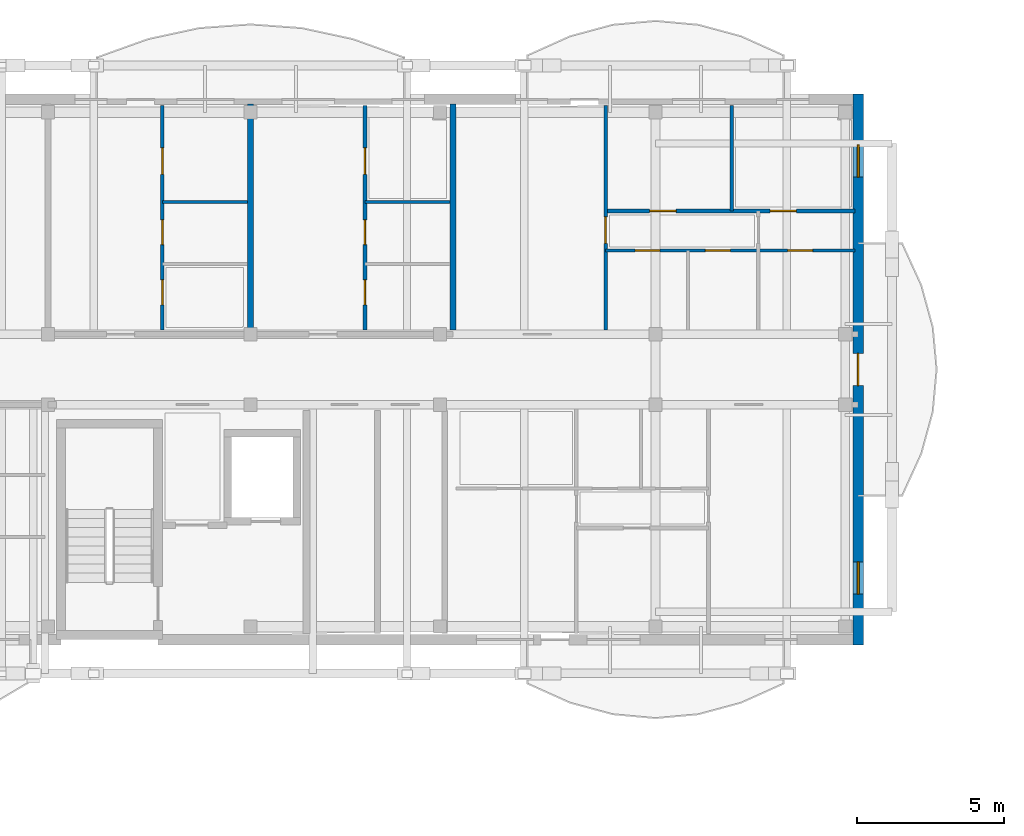
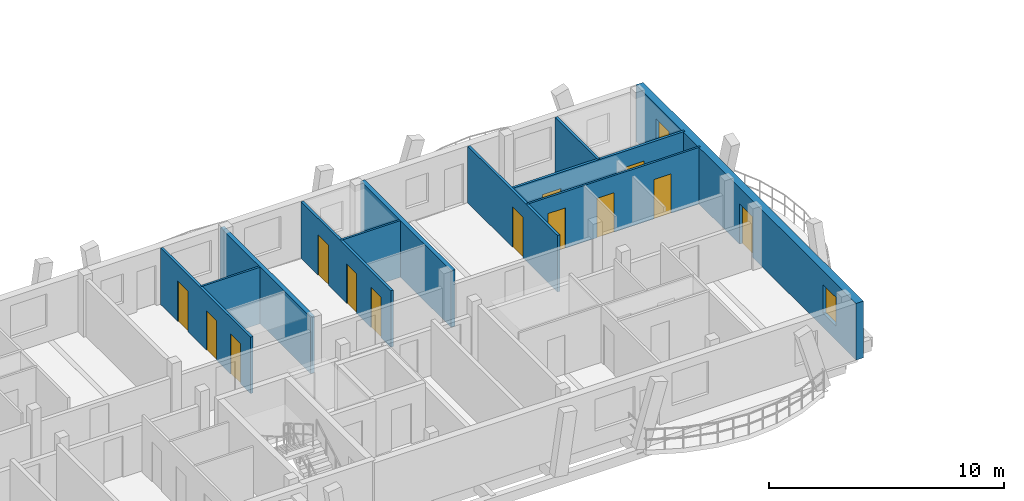
# One storey, part 28 of 52: 13 doors, 11 walls, 2 windows, 15 openings.
"""IFC4 building model written with IfcOpenShell, lengths in metres."""

import ifcopenshell
import ifcopenshell.guid

model = None  # the IFC model being written
_history = None  # IfcOwnerHistory: only IFC2X3 demands one
_inside = {}  # id of a spatial element -> (the spatial element, [elements in it])
_under = {}  # id of a project, library or spatial element -> (it, [spatial elements below it])
_declared = {}  # id of a project -> (the project, [libraries it declares])
_typed = {}  # id of a type object -> (the type object, [elements of that type])
_made_of = {}  # id of a material, layer set ... -> (it, [elements and type objects made of it])


def new_model(schema):
    """Start an empty IFC model of exactly this schema.

    Asked for "IFC4X3", IfcOpenShell would pick the latest addendum, in which some entities
    have other attributes; the version numbers below select the first issue.
    IFC2X3 requires an IfcOwnerHistory on every rooted entity: one is made here for all.
    """
    global model, _history
    if schema == "IFC4X3":
        model = ifcopenshell.file(schema_version=(4, 3, 0, 0))
    else:
        model = ifcopenshell.file(schema=schema)
    _inside.clear()
    _under.clear()
    _declared.clear()
    _typed.clear()
    _made_of.clear()
    _history = None
    if model.schema == "IFC2X3":
        org = make("IfcOrganization", Name="unknown")
        user = make(
            "IfcPersonAndOrganization",
            ThePerson=make("IfcPerson", FamilyName="unknown"),
            TheOrganization=org,
        )
        app = make(
            "IfcApplication",
            ApplicationDeveloper=org,
            Version="unknown",
            ApplicationFullName="unknown",
            ApplicationIdentifier="unknown",
        )
        _history = make(
            "IfcOwnerHistory",
            OwningUser=user,
            OwningApplication=app,
            ChangeAction="ADDED",
            CreationDate=0,
        )
    return model


def make(cls, **values):
    """One entity of the class cls with the attributes given. An attribute that is None is left unset."""
    return model.create_entity(
        cls, **{name: value for name, value in values.items() if value is not None}
    )


def rooted(cls, **values):
    """An entity with a GlobalId (a new one), such as an element, a storey or a relation."""
    return make(cls, GlobalId=ifcopenshell.guid.new(), OwnerHistory=_history, **values)


def si_unit(unit_type, name, prefix=None):
    """IfcSIUnit, for example si_unit("LENGTHUNIT", "METRE", prefix="MILLI")."""
    return make("IfcSIUnit", UnitType=unit_type, Prefix=prefix, Name=name)


def assignment(units):
    """IfcUnitAssignment: the units of a project."""
    return None if units is None else make("IfcUnitAssignment", Units=units)


def point(xyz):
    """IfcCartesianPoint."""
    return None if xyz is None else make("IfcCartesianPoint", Coordinates=xyz)


def direction(xyz):
    """IfcDirection."""
    return None if xyz is None else make("IfcDirection", DirectionRatios=xyz)


def frame(location, z_axis=None, x_axis=None):
    """IfcAxis2Placement3D, a coordinate frame: its origin and axes. An axis left out is left unset."""
    return make(
        "IfcAxis2Placement3D",
        Location=point(location),
        Axis=direction(z_axis),
        RefDirection=direction(x_axis),
    )


def frame_2d(location, x_axis=None):
    """IfcAxis2Placement2D, a coordinate frame in the plane: its origin and x axis."""
    return make(
        "IfcAxis2Placement2D", Location=point(location), RefDirection=direction(x_axis)
    )


def origin():
    """The frame at (0, 0, 0) with its axes left unset."""
    return frame((0.0, 0.0, 0.0))


def origin_with_axes():
    """The frame at (0, 0, 0) with the z axis (0, 0, 1) and the x axis (1, 0, 0) written out."""
    return frame((0.0, 0.0, 0.0), z_axis=(0.0, 0.0, 1.0), x_axis=(1.0, 0.0, 0.0))


def place(relative_to, where):
    """IfcLocalPlacement: puts the frame where relative to a parent placement (None: the world)."""
    return make(
        "IfcLocalPlacement", PlacementRelTo=relative_to, RelativePlacement=where
    )


def context(
    kind, dimensions, precision=None, world=None, true_north=None, identifier=None
):
    """IfcGeometricRepresentationContext, for example the 3D "Model" context."""
    return make(
        "IfcGeometricRepresentationContext",
        ContextIdentifier=identifier,
        ContextType=kind,
        CoordinateSpaceDimension=dimensions,
        Precision=precision,
        WorldCoordinateSystem=world,
        TrueNorth=true_north,
    )


def subcontext(parent, identifier, kind, view, scale=None):
    """IfcGeometricRepresentationSubContext, for example "Body" below "Model"."""
    return make(
        "IfcGeometricRepresentationSubContext",
        ContextIdentifier=identifier,
        ContextType=kind,
        ParentContext=parent,
        TargetScale=scale,
        TargetView=view,
    )


def project(units=None, contexts=None):
    """IfcProject with its units and contexts."""
    return rooted(
        "IfcProject",
        Name="project",
        RepresentationContexts=contexts,
        UnitsInContext=assignment(units),
    )


def spatial(cls, under=None, at=None, **own):
    """A site, building, storey or space (cls), placed at a placement, below another one or the project."""
    s = rooted(cls, ObjectPlacement=at, **own)
    if under is not None:
        _under.setdefault(under.id(), (under, []))[1].append(s)
    return s


def profile(cls, at=None, kind="AREA", **sizes):
    """A parametric profile (cls). Its sizes go by their IFC names, for example OverallWidth=200.0."""
    return make(cls, ProfileType=kind, Position=at, **sizes)


def rectangle(**sizes):
    """IfcRectangleProfileDef."""
    return profile("IfcRectangleProfileDef", **sizes)


def extrude(swept, where, along, depth):
    """IfcExtrudedAreaSolid: the profile swept, set in the frame where, extruded along a direction by depth."""
    return make(
        "IfcExtrudedAreaSolid",
        SweptArea=swept,
        Position=where,
        ExtrudedDirection=direction(along),
        Depth=depth,
    )


def shape(context_of_items, identifier, shape_type, items):
    """IfcShapeRepresentation: the items that make up one representation, for example the "Body"."""
    return make(
        "IfcShapeRepresentation",
        ContextOfItems=context_of_items,
        RepresentationIdentifier=identifier,
        RepresentationType=shape_type,
        Items=items,
    )


def material(Name=None, Category=None):
    """IfcMaterial."""
    return make("IfcMaterial", Name=Name, Category=Category)


def layer(
    of_material, thickness, ventilated=None, Name=None, Category=None, Priority=None
):
    """IfcMaterialLayer: one layer of a wall or slab, of a material (None: an air gap)."""
    return make(
        "IfcMaterialLayer",
        Material=of_material,
        LayerThickness=thickness,
        IsVentilated=ventilated,
        Name=Name,
        Category=Category,
        Priority=Priority,
    )


def layer_set(layers, Name=None):
    """IfcMaterialLayerSet."""
    return make("IfcMaterialLayerSet", MaterialLayers=layers, LayerSetName=Name)


def made_of(thing, what):
    """Note that an element or type object is made of a material, layer set ...; save() writes the relation."""
    if what is not None:
        _made_of.setdefault(what.id(), (what, []))[1].append(thing)
    return thing


def type_object(cls, material=None, **own):
    """A type object (cls), such as IfcWallType, which elements share."""
    return made_of(rooted(cls, **own), material)


def element(
    cls,
    number,
    at=None,
    inside=None,
    cuts=None,
    type_object=None,
    material=None,
    context=None,
    identifier="Body",
    shape_type=None,
    held_by="IfcProductDefinitionShape",
    body=None,
    shapes=None,
    **own,
):
    """One element of the class cls, such as IfcWall. Its Tag is "e" and its number.

    at: its placement. inside: the storey or other place that contains it. cuts: it is an
    opening in that element (IfcRelVoidsElement). A single representation is given by context,
    identifier, shape_type and body (its items); several are given by shapes. held_by: the class
    of the entity that holds the representations. save() writes the other relations.
    """
    e = rooted(cls, Tag="e%d" % number, ObjectPlacement=at, **own)
    if body is not None:
        shapes = [shape(context, identifier, shape_type, body)]
    if shapes is not None:
        e.Representation = make(held_by, Representations=shapes)
    if inside is not None:
        _inside.setdefault(inside.id(), (inside, []))[1].append(e)
    if cuts is not None:
        rooted(
            "IfcRelVoidsElement", RelatingBuildingElement=cuts, RelatedOpeningElement=e
        )
    if type_object is not None:
        _typed.setdefault(type_object.id(), (type_object, []))[1].append(e)
    return made_of(e, material)


def fill(opening, filler):
    """IfcRelFillsElement: the door or window that sits in an opening."""
    return rooted(
        "IfcRelFillsElement",
        RelatingOpeningElement=opening,
        RelatedBuildingElement=filler,
    )


def aggregate(whole, parts):
    """IfcRelAggregates: a whole, such as a stair, and the parts it consists of."""
    return rooted("IfcRelAggregates", RelatingObject=whole, RelatedObjects=parts)


def save(model, path):
    """Write the relations noted so far, then the file.

    IfcRelAggregates (storeys below a building ...), IfcRelContainedInSpatialStructure (elements
    in a storey), IfcRelDefinesByType, IfcRelAssociatesMaterial and IfcRelDeclares: one each for
    every whole, place, type object, material and project.
    """
    for whole, parts in _under.values():
        aggregate(whole, parts)
    for where, things in _inside.values():
        rooted(
            "IfcRelContainedInSpatialStructure",
            RelatedElements=things,
            RelatingStructure=where,
        )
    for kind, things in _typed.values():
        rooted("IfcRelDefinesByType", RelatedObjects=things, RelatingType=kind)
    for what, things in _made_of.values():
        rooted("IfcRelAssociatesMaterial", RelatedObjects=things, RelatingMaterial=what)
    for by, libraries in _declared.values():
        rooted("IfcRelDeclares", RelatingContext=by, RelatedDefinitions=libraries)
    model.write(path)


model = new_model("IFC4")

# Units and contexts
model_context = context("Model", 3, precision=1e-05, world=origin(), true_north=direction((0.0, 1.0)))
body_context = subcontext(model_context, "Body", "Model", "MODEL_VIEW")
ifc_project = project(units=[si_unit("LENGTHUNIT", "METRE"), si_unit("AREAUNIT", "SQUARE_METRE"), si_unit("VOLUMEUNIT", "CUBIC_METRE"), si_unit("PLANEANGLEUNIT", "RADIAN"), si_unit("MASSUNIT", "GRAM", prefix="KILO")], contexts=[model_context])

# Site, building, storey
site_placement = place(None, origin())
site = spatial("IfcSite", under=ifc_project, at=site_placement, CompositionType="ELEMENT")
building_placement = place(site_placement, origin())
building = spatial("IfcBuilding", under=site, at=building_placement, Name="Zavelmont Quarter", CompositionType="ELEMENT")
storey_placement = place(building_placement, frame((0.0, 0.0, 14.39990234375)))
storey = spatial("IfcBuildingStorey", under=building, at=storey_placement, Name="L04", CompositionType="ELEMENT", Elevation=14.39990234375)

# Wall, openings, door, windows
ifc_material_1 = material(Name="Natural Belgian limestone", Category="masonry")
ifc_layer_1 = layer(ifc_material_1, 0.360107421875)
ifc_layer_set_1 = layer_set([ifc_layer_1], Name="Natural Belgian limestone")
wall_type_1 = type_object("IfcWallType", Name="EW02", PredefinedType="STANDARD", material=ifc_layer_set_1)
wall_1_placement = place(storey_placement, frame((55.199951171875, 97.419921875, 0.0), z_axis=(0.0, 0.0, 1.0), x_axis=(0.0, 1.0, 0.0)))
wall_1 = element("IfcWall", 1, at=wall_1_placement, inside=storey, type_object=wall_type_1, Name="L04 exterior limestone wall EW02", PredefinedType="STANDARD", context=body_context, shape_type="SweptSolid", body=[
    extrude(rectangle(XDim=18.760009765625, YDim=0.360107421875, at=frame_2d((9.3798828125, 0.0))), origin(), (0.0, 0.0, 1.0), 2.940185546875),
])
opening_1_placement = place(wall_1_placement, frame((8.830078125, 0.0, 0.0)))
opening_1 = element("IfcOpeningElement", 2, at=opening_1_placement, cuts=wall_1, Name="Opening DR04B", PredefinedType="OPENING", context=body_context, shape_type="SweptSolid", body=[
    extrude(rectangle(XDim=1.10009765625, YDim=2.10009765625, at=frame_2d((0.550048828125, 1.050048828125))), frame((0.0, 0.19189453125, 0.0), z_axis=(0.0, -1.0, 0.0), x_axis=(1.0, 0.0, 0.0)), (0.0, 0.0, 1.0), 0.384033203125),
])
opening_2_placement = place(wall_1_placement, frame((1.72998046875, 0.0, 0.719970703125)))
opening_2 = element("IfcOpeningElement", 3, at=opening_2_placement, cuts=wall_1, Name="Opening WN09", PredefinedType="OPENING", context=body_context, shape_type="SweptSolid", body=[
    extrude(rectangle(XDim=1.10009765625, YDim=1.5, at=frame_2d((0.550048828125, 0.75))), frame((0.0, 0.19189453125, 0.0), z_axis=(0.0, -1.0, 0.0), x_axis=(1.0, 0.0, 0.0)), (0.0, 0.0, 1.0), 0.384033203125),
])
opening_3_placement = place(wall_1_placement, frame((15.929931640625, 0.0, 0.719970703125)))
opening_3 = element("IfcOpeningElement", 4, at=opening_3_placement, cuts=wall_1, Name="Opening WN09", PredefinedType="OPENING", context=body_context, shape_type="SweptSolid", body=[
    extrude(rectangle(XDim=1.10009765625, YDim=1.5, at=frame_2d((0.550048828125, 0.75))), frame((0.0, 0.19189453125, 0.0), z_axis=(0.0, -1.0, 0.0), x_axis=(1.0, 0.0, 0.0)), (0.0, 0.0, 1.0), 0.384033203125),
])
ifc_material_2 = material(Name="Thermally broken aluminium and double safety glass", Category="aluminium")
door_type_1 = type_object("IfcDoorType", Name="DR04B", OperationType="NOTDEFINED", PredefinedType="DOOR", material=ifc_material_2)
door_1_placement = place(opening_1_placement, origin_with_axes())
door_1 = element("IfcDoor", 5, at=door_1_placement, inside=storey, type_object=door_type_1, Name="Block B L04 terrace or vase balcony door", OperationType="SINGLE_SWING_RIGHT", OverallHeight=2.10009765625, OverallWidth=1.10009765625, PredefinedType="DOOR", context=body_context, shape_type="SweptSolid", body=[
    extrude(rectangle(XDim=1.10009765625, YDim=2.10009765625, at=frame_2d((0.550048828125, 1.050048828125))), frame((0.0, 0.02490234375, 0.0), z_axis=(0.0, -1.0, 0.0), x_axis=(1.0, 0.0, 0.0)), (0.0, 0.0, 1.0), 0.050048828125),
])
fill(opening_1, door_1)
ifc_material_3 = material(Name="Double low-E insulated glazing in thermally broken aluminium frame", Category="aluminium")
window_type = type_object("IfcWindowType", Name="WN09", PartitioningType="SINGLE_PANEL", PredefinedType="WINDOW", material=ifc_material_3)
window_1_placement = place(opening_2_placement, origin_with_axes())
window_1 = element("IfcWindow", 6, at=window_1_placement, inside=storey, type_object=window_type, Name="L04 window WN09", OverallHeight=1.5, OverallWidth=1.10009765625, PartitioningType="SINGLE_PANEL", PredefinedType="WINDOW", context=body_context, shape_type="SweptSolid", body=[
    extrude(rectangle(XDim=1.10009765625, YDim=1.5, at=frame_2d((0.550048828125, 0.75))), frame((0.0, 0.030029296875, 0.0), z_axis=(0.0, -1.0, 0.0), x_axis=(1.0, 0.0, 0.0)), (0.0, 0.0, 1.0), 0.06005859375),
])
fill(opening_2, window_1)
window_2_placement = place(opening_3_placement, origin_with_axes())
window_2 = element("IfcWindow", 7, at=window_2_placement, inside=storey, type_object=window_type, Name="L04 window WN09", OverallHeight=1.5, OverallWidth=1.10009765625, PartitioningType="SINGLE_PANEL", PredefinedType="WINDOW", context=body_context, shape_type="SweptSolid", body=[
    extrude(rectangle(XDim=1.10009765625, YDim=1.5, at=frame_2d((0.550048828125, 0.75))), frame((0.0, 0.030029296875, 0.0), z_axis=(0.0, -1.0, 0.0), x_axis=(1.0, 0.0, 0.0)), (0.0, 0.0, 1.0), 0.06005859375),
])
fill(opening_3, window_2)

# Walls
ifc_material_4 = material(Name="Calcium-silicate blockwork and acoustic plaster", Category="masonry")
ifc_layer_2 = layer(ifc_material_4, 0.199951171875)
ifc_layer_set_2 = layer_set([ifc_layer_2], Name="Calcium-silicate blockwork and acoustic plaster")
wall_type_2 = type_object("IfcWallType", Name="IW01", PredefinedType="PARTITIONING", material=ifc_layer_set_2)
for number, where, z_axis, x_axis, name in (
    (8, (34.5, 108.14990234375, 0.0), (0.0, 0.0, 1.0), (0.0, 1.0, 0.0), "L04 Inter-dwelling compartment wall IW01"),
    (9, (41.39990234375, 108.14990234375, 0.0), (0.0, 0.0, 1.0), (0.0, 1.0, 0.0), "L04 Inter-dwelling compartment wall IW01"),
):
    element("IfcWall", number, at=place(storey_placement, frame(where, z_axis=z_axis, x_axis=x_axis)), inside=storey, type_object=wall_type_2, Name=name, PredefinedType="PARTITIONING", context=body_context, shape_type="SweptSolid", body=[
        extrude(rectangle(XDim=7.7001953125, YDim=0.199951171875, at=frame_2d((3.85009765625, 0.0))), origin(), (0.0, 0.0, 1.0), 2.940185546875),
    ])

# Wall, openings, doors
ifc_material_5 = material(Name="Double gypsum board on acoustic steel stud", Category="steel")
ifc_layer_3 = layer(ifc_material_5, 0.125)
ifc_layer_set_3 = layer_set([ifc_layer_3], Name="Double gypsum board on acoustic steel stud")
wall_type_3 = type_object("IfcWallType", Name="IW03", PredefinedType="PARTITIONING", material=ifc_layer_set_3)
wall_2_placement = place(storey_placement, frame((31.5, 108.14990234375, 0.0), z_axis=(0.0, 0.0, 1.0), x_axis=(0.0, 1.0, 0.0)))
wall_2 = element("IfcWall", 10, at=wall_2_placement, inside=storey, type_object=wall_type_3, Name="L04 Partition IW03", PredefinedType="PARTITIONING", context=body_context, shape_type="SweptSolid", body=[
    extrude(rectangle(XDim=7.650146484375, YDim=0.125, at=frame_2d((3.8251953125, 0.0))), origin(), (0.0, 0.0, 1.0), 2.940185546875),
])
opening_4_placement = place(wall_2_placement, frame((0.85009765625, 0.0, 0.0)))
opening_4 = element("IfcOpeningElement", 11, at=opening_4_placement, cuts=wall_2, Name="Opening DR16", PredefinedType="OPENING", context=body_context, shape_type="SweptSolid", body=[
    extrude(rectangle(XDim=0.85009765625, YDim=2.10009765625, at=frame_2d((0.425048828125, 1.050048828125))), frame((0.0, 0.074462890625, 0.0), z_axis=(0.0, -1.0, 0.0), x_axis=(1.0, 0.0, 0.0)), (0.0, 0.0, 1.0), 0.14892578125),
])
opening_5_placement = place(wall_2_placement, frame((2.89990234375, 0.0, 0.0)))
opening_5 = element("IfcOpeningElement", 12, at=opening_5_placement, cuts=wall_2, Name="Opening DR06", PredefinedType="OPENING", context=body_context, shape_type="SweptSolid", body=[
    extrude(rectangle(XDim=0.85009765625, YDim=2.050048828125, at=frame_2d((0.425048828125, 1.02490234375))), frame((0.0, 0.074462890625, 0.0), z_axis=(0.0, -1.0, 0.0), x_axis=(1.0, 0.0, 0.0)), (0.0, 0.0, 1.0), 0.14892578125),
])
opening_6_placement = place(wall_2_placement, frame((5.300048828125, 0.0, 0.0)))
opening_6 = element("IfcOpeningElement", 13, at=opening_6_placement, cuts=wall_2, Name="Opening DR05", PredefinedType="OPENING", context=body_context, shape_type="SweptSolid", body=[
    extrude(rectangle(XDim=0.89990234375, YDim=2.10009765625, at=frame_2d((0.449951171875, 1.050048828125))), frame((0.0, 0.074462890625, 0.0), z_axis=(0.0, -1.0, 0.0), x_axis=(1.0, 0.0, 0.0)), (0.0, 0.0, 1.0), 0.14892578125),
])
ifc_material_6 = material(Name="Engineered oak flush interior door")
door_type_2 = type_object("IfcDoorType", Name="DR05", OperationType="NOTDEFINED", PredefinedType="DOOR", material=ifc_material_6)
door_2_placement = place(opening_6_placement, origin_with_axes())
door_2 = element("IfcDoor", 14, at=door_2_placement, inside=storey, type_object=door_type_2, Name="L04 door DR05", OperationType="SINGLE_SWING_RIGHT", OverallHeight=2.10009765625, OverallWidth=0.89990234375, PredefinedType="DOOR", context=body_context, shape_type="SweptSolid", body=[
    extrude(rectangle(XDim=0.89990234375, YDim=2.10009765625, at=frame_2d((0.449951171875, 1.050048828125))), frame((0.0, 0.02490234375, 0.0), z_axis=(0.0, -1.0, 0.0), x_axis=(1.0, 0.0, 0.0)), (0.0, 0.0, 1.0), 0.050048828125),
])
fill(opening_6, door_2)
ifc_material_7 = material(Name="Moisture-resistant painted wet-room door")
door_type_3 = type_object("IfcDoorType", Name="DR06", OperationType="NOTDEFINED", PredefinedType="DOOR", material=ifc_material_7)
door_3_placement = place(opening_5_placement, frame((0.85009765625, 0.0, 0.0), z_axis=(0.0, 0.0, 1.0), x_axis=(-1.0, 0.0, 0.0)))
door_3 = element("IfcDoor", 15, at=door_3_placement, inside=storey, type_object=door_type_3, Name="L04 door DR06", OperationType="SINGLE_SWING_LEFT", OverallHeight=2.050048828125, OverallWidth=0.85009765625, PredefinedType="DOOR", context=body_context, shape_type="SweptSolid", body=[
    extrude(rectangle(XDim=0.85009765625, YDim=2.050048828125, at=frame_2d((0.425048828125, 1.02490234375))), frame((0.0, 0.02490234375, 0.0), z_axis=(0.0, -1.0, 0.0), x_axis=(1.0, 0.0, 0.0)), (0.0, 0.0, 1.0), 0.050048828125),
])
fill(opening_5, door_3)
door_type_4 = type_object("IfcDoorType", Name="DR16", OperationType="NOTDEFINED", PredefinedType="DOOR", material=ifc_material_6)
door_4_placement = place(opening_4_placement, origin_with_axes())
door_4 = element("IfcDoor", 16, at=door_4_placement, inside=storey, type_object=door_type_4, Name="L04 door DR16", OperationType="SINGLE_SWING_RIGHT", OverallHeight=2.10009765625, OverallWidth=0.85009765625, PredefinedType="DOOR", context=body_context, shape_type="SweptSolid", body=[
    extrude(rectangle(XDim=0.85009765625, YDim=2.10009765625, at=frame_2d((0.425048828125, 1.050048828125))), frame((0.0, 0.02490234375, 0.0), z_axis=(0.0, -1.0, 0.0), x_axis=(1.0, 0.0, 0.0)), (0.0, 0.0, 1.0), 0.050048828125),
])
fill(opening_4, door_4)

wall_3_placement = place(storey_placement, frame((38.39990234375, 108.14990234375, 0.0), z_axis=(0.0, 0.0, 1.0), x_axis=(0.0, 1.0, 0.0)))
wall_3 = element("IfcWall", 17, at=wall_3_placement, inside=storey, type_object=wall_type_3, Name="L04 Partition IW03", PredefinedType="PARTITIONING", context=body_context, shape_type="SweptSolid", body=[
    extrude(rectangle(XDim=7.650146484375, YDim=0.125, at=frame_2d((3.8251953125, 0.0))), origin(), (0.0, 0.0, 1.0), 2.940185546875),
])
opening_7_placement = place(wall_3_placement, frame((0.85009765625, 0.0, 0.0)))
opening_7 = element("IfcOpeningElement", 18, at=opening_7_placement, cuts=wall_3, Name="Opening DR16", PredefinedType="OPENING", context=body_context, shape_type="SweptSolid", body=[
    extrude(rectangle(XDim=0.85009765625, YDim=2.10009765625, at=frame_2d((0.425048828125, 1.050048828125))), frame((0.0, 0.074462890625, 0.0), z_axis=(0.0, -1.0, 0.0), x_axis=(1.0, 0.0, 0.0)), (0.0, 0.0, 1.0), 0.14892578125),
])
opening_8_placement = place(wall_3_placement, frame((2.89990234375, 0.0, 0.0)))
opening_8 = element("IfcOpeningElement", 19, at=opening_8_placement, cuts=wall_3, Name="Opening DR06", PredefinedType="OPENING", context=body_context, shape_type="SweptSolid", body=[
    extrude(rectangle(XDim=0.85009765625, YDim=2.050048828125, at=frame_2d((0.425048828125, 1.02490234375))), frame((0.0, 0.074462890625, 0.0), z_axis=(0.0, -1.0, 0.0), x_axis=(1.0, 0.0, 0.0)), (0.0, 0.0, 1.0), 0.14892578125),
])
opening_9_placement = place(wall_3_placement, frame((5.300048828125, 0.0, 0.0)))
opening_9 = element("IfcOpeningElement", 20, at=opening_9_placement, cuts=wall_3, Name="Opening DR05", PredefinedType="OPENING", context=body_context, shape_type="SweptSolid", body=[
    extrude(rectangle(XDim=0.89990234375, YDim=2.10009765625, at=frame_2d((0.449951171875, 1.050048828125))), frame((0.0, 0.074462890625, 0.0), z_axis=(0.0, -1.0, 0.0), x_axis=(1.0, 0.0, 0.0)), (0.0, 0.0, 1.0), 0.14892578125),
])
door_5_placement = place(opening_9_placement, origin_with_axes())
door_5 = element("IfcDoor", 21, at=door_5_placement, inside=storey, type_object=door_type_2, Name="L04 door DR05", OperationType="SINGLE_SWING_LEFT", OverallHeight=2.10009765625, OverallWidth=0.89990234375, PredefinedType="DOOR", context=body_context, shape_type="SweptSolid", body=[
    extrude(rectangle(XDim=0.89990234375, YDim=2.10009765625, at=frame_2d((0.449951171875, 1.050048828125))), frame((0.0, 0.02490234375, 0.0), z_axis=(0.0, -1.0, 0.0), x_axis=(1.0, 0.0, 0.0)), (0.0, 0.0, 1.0), 0.050048828125),
])
fill(opening_9, door_5)
door_6_placement = place(opening_8_placement, frame((0.85009765625, 0.0, 0.0), z_axis=(0.0, 0.0, 1.0), x_axis=(-1.0, 0.0, 0.0)))
door_6 = element("IfcDoor", 22, at=door_6_placement, inside=storey, type_object=door_type_3, Name="L04 door DR06", OperationType="SINGLE_SWING_RIGHT", OverallHeight=2.050048828125, OverallWidth=0.85009765625, PredefinedType="DOOR", context=body_context, shape_type="SweptSolid", body=[
    extrude(rectangle(XDim=0.85009765625, YDim=2.050048828125, at=frame_2d((0.425048828125, 1.02490234375))), frame((0.0, 0.02490234375, 0.0), z_axis=(0.0, -1.0, 0.0), x_axis=(1.0, 0.0, 0.0)), (0.0, 0.0, 1.0), 0.050048828125),
])
fill(opening_8, door_6)
door_7_placement = place(opening_7_placement, origin_with_axes())
door_7 = element("IfcDoor", 23, at=door_7_placement, inside=storey, type_object=door_type_4, Name="L04 door DR16", OperationType="SINGLE_SWING_LEFT", OverallHeight=2.10009765625, OverallWidth=0.85009765625, PredefinedType="DOOR", context=body_context, shape_type="SweptSolid", body=[
    extrude(rectangle(XDim=0.85009765625, YDim=2.10009765625, at=frame_2d((0.425048828125, 1.050048828125))), frame((0.0, 0.02490234375, 0.0), z_axis=(0.0, -1.0, 0.0), x_axis=(1.0, 0.0, 0.0)), (0.0, 0.0, 1.0), 0.050048828125),
])
fill(opening_7, door_7)

# Wall, opening, door
wall_4_placement = place(storey_placement, frame((46.60009765625, 108.14990234375, 0.0), z_axis=(0.0, 0.0, 1.0), x_axis=(0.0, 1.0, 0.0)))
wall_4 = element("IfcWall", 24, at=wall_4_placement, inside=storey, type_object=wall_type_3, Name="L04 Partition IW03", PredefinedType="PARTITIONING", context=body_context, shape_type="SweptSolid", body=[
    extrude(rectangle(XDim=7.650146484375, YDim=0.125, at=frame_2d((3.8251953125, 0.0))), origin(), (0.0, 0.0, 1.0), 2.940185546875),
])
opening_10_placement = place(wall_4_placement, frame((2.949951171875, 0.0, 0.0)))
opening_10 = element("IfcOpeningElement", 25, at=opening_10_placement, cuts=wall_4, Name="Opening DR05", PredefinedType="OPENING", context=body_context, shape_type="SweptSolid", body=[
    extrude(rectangle(XDim=0.89990234375, YDim=2.10009765625, at=frame_2d((0.449951171875, 1.050048828125))), frame((0.0, 0.074462890625, 0.0), z_axis=(0.0, -1.0, 0.0), x_axis=(1.0, 0.0, 0.0)), (0.0, 0.0, 1.0), 0.14892578125),
])
door_8_placement = place(opening_10_placement, origin_with_axes())
door_8 = element("IfcDoor", 26, at=door_8_placement, inside=storey, type_object=door_type_2, Name="L04 door DR05", OperationType="SINGLE_SWING_RIGHT", OverallHeight=2.10009765625, OverallWidth=0.89990234375, PredefinedType="DOOR", context=body_context, shape_type="SweptSolid", body=[
    extrude(rectangle(XDim=0.89990234375, YDim=2.10009765625, at=frame_2d((0.449951171875, 1.050048828125))), frame((0.0, 0.02490234375, 0.0), z_axis=(0.0, -1.0, 0.0), x_axis=(1.0, 0.0, 0.0)), (0.0, 0.0, 1.0), 0.050048828125),
])
fill(opening_10, door_8)

# Wall
wall_5_placement = place(storey_placement, frame((50.89990234375, 112.199951171875, 0.0), z_axis=(0.0, 0.0, 1.0), x_axis=(0.0, 1.0, 0.0)))
element("IfcWall", 27, at=wall_5_placement, inside=storey, type_object=wall_type_3, Name="L04 Partition IW03", PredefinedType="PARTITIONING", context=body_context, shape_type="SweptSolid", body=[
    extrude(rectangle(XDim=3.60009765625, YDim=0.125, at=frame_2d((1.800048828125, 0.0))), origin(), (0.0, 0.0, 1.0), 2.940185546875),
])

# Wall, openings, doors
wall_6_placement = place(storey_placement, frame((46.60009765625, 112.199951171875, 0.0), z_axis=(0.0, 0.0, 1.0), x_axis=(1.0, 0.0, 0.0)))
wall_6 = element("IfcWall", 28, at=wall_6_placement, inside=storey, type_object=wall_type_3, Name="L04 Partition IW03", PredefinedType="PARTITIONING", context=body_context, shape_type="SweptSolid", body=[
    extrude(rectangle(XDim=8.5, YDim=0.125, at=frame_2d((4.25, 0.0))), origin(), (0.0, 0.0, 1.0), 2.940185546875),
])
opening_11_placement = place(wall_6_placement, frame((1.5, 0.0, 0.0)))
opening_11 = element("IfcOpeningElement", 29, at=opening_11_placement, cuts=wall_6, Name="Opening DR05", PredefinedType="OPENING", context=body_context, shape_type="SweptSolid", body=[
    extrude(rectangle(XDim=0.89990234375, YDim=2.10009765625, at=frame_2d((0.449951171875, 1.050048828125))), frame((0.0, 0.074462890625, 0.0), z_axis=(0.0, -1.0, 0.0), x_axis=(1.0, 0.0, 0.0)), (0.0, 0.0, 1.0), 0.14892578125),
])
opening_12_placement = place(wall_6_placement, frame((5.60009765625, 0.0, 0.0)))
opening_12 = element("IfcOpeningElement", 30, at=opening_12_placement, cuts=wall_6, Name="Opening DR05", PredefinedType="OPENING", context=body_context, shape_type="SweptSolid", body=[
    extrude(rectangle(XDim=0.89990234375, YDim=2.10009765625, at=frame_2d((0.449951171875, 1.050048828125))), frame((0.0, 0.074462890625, 0.0), z_axis=(0.0, -1.0, 0.0), x_axis=(1.0, 0.0, 0.0)), (0.0, 0.0, 1.0), 0.14892578125),
])
door_9_placement = place(opening_11_placement, frame((0.89990234375, 0.0, 0.0), z_axis=(0.0, 0.0, 1.0), x_axis=(-1.0, 0.0, 0.0)))
door_9 = element("IfcDoor", 31, at=door_9_placement, inside=storey, type_object=door_type_2, Name="L04 door DR05", OperationType="SINGLE_SWING_LEFT", OverallHeight=2.10009765625, OverallWidth=0.89990234375, PredefinedType="DOOR", context=body_context, shape_type="SweptSolid", body=[
    extrude(rectangle(XDim=0.89990234375, YDim=2.10009765625, at=frame_2d((0.449951171875, 1.050048828125))), frame((0.0, 0.02490234375, 0.0), z_axis=(0.0, -1.0, 0.0), x_axis=(1.0, 0.0, 0.0)), (0.0, 0.0, 1.0), 0.050048828125),
])
fill(opening_11, door_9)
door_10_placement = place(opening_12_placement, origin_with_axes())
door_10 = element("IfcDoor", 32, at=door_10_placement, inside=storey, type_object=door_type_2, Name="L04 door DR05", OperationType="SINGLE_SWING_RIGHT", OverallHeight=2.10009765625, OverallWidth=0.89990234375, PredefinedType="DOOR", context=body_context, shape_type="SweptSolid", body=[
    extrude(rectangle(XDim=0.89990234375, YDim=2.10009765625, at=frame_2d((0.449951171875, 1.050048828125))), frame((0.0, 0.02490234375, 0.0), z_axis=(0.0, -1.0, 0.0), x_axis=(1.0, 0.0, 0.0)), (0.0, 0.0, 1.0), 0.050048828125),
])
fill(opening_12, door_10)

# Walls
ifc_material_8 = material(Name="Moisture-resistant gypsum board on steel stud", Category="steel")
ifc_layer_4 = layer(ifc_material_8, 0.10009765625)
ifc_layer_set_4 = layer_set([ifc_layer_4], Name="Moisture-resistant gypsum board on steel stud")
wall_type_4 = type_object("IfcWallType", Name="IW04", PredefinedType="PARTITIONING", material=ifc_layer_set_4)
wall_7_placement = place(storey_placement, frame((31.5, 112.5, 0.0), z_axis=(0.0, 0.0, 1.0), x_axis=(1.0, 0.0, 0.0)))
element("IfcWall", 33, at=wall_7_placement, inside=storey, type_object=wall_type_4, Name="L04 Partition IW04", PredefinedType="PARTITIONING", context=body_context, shape_type="SweptSolid", body=[
    extrude(rectangle(XDim=2.89990234375, YDim=0.10009765625, at=frame_2d((1.449951171875, 0.0))), origin(), (0.0, 0.0, 1.0), 2.940185546875),
])
wall_8_placement = place(storey_placement, frame((38.39990234375, 112.5, 0.0), z_axis=(0.0, 0.0, 1.0), x_axis=(1.0, 0.0, 0.0)))
element("IfcWall", 34, at=wall_8_placement, inside=storey, type_object=wall_type_4, Name="L04 Partition IW04", PredefinedType="PARTITIONING", context=body_context, shape_type="SweptSolid", body=[
    extrude(rectangle(XDim=2.900146484375, YDim=0.10009765625, at=frame_2d((1.4501953125, 0.0))), origin(), (0.0, 0.0, 1.0), 2.940185546875),
])

# Wall, openings, doors
wall_9_placement = place(storey_placement, frame((46.60009765625, 110.85009765625, 0.0), z_axis=(0.0, 0.0, 1.0), x_axis=(1.0, 0.0, 0.0)))
wall_9 = element("IfcWall", 35, at=wall_9_placement, inside=storey, type_object=wall_type_4, Name="L04 Partition IW04", PredefinedType="PARTITIONING", context=body_context, shape_type="SweptSolid", body=[
    extrude(rectangle(XDim=8.5, YDim=0.10009765625, at=frame_2d((4.25, 0.0))), origin(), (0.0, 0.0, 1.0), 2.940185546875),
])
opening_13_placement = place(wall_9_placement, frame((1.0, 0.0, 0.0)))
opening_13 = element("IfcOpeningElement", 36, at=opening_13_placement, cuts=wall_9, Name="Opening DR16", PredefinedType="OPENING", context=body_context, shape_type="SweptSolid", body=[
    extrude(rectangle(XDim=0.85009765625, YDim=2.10009765625, at=frame_2d((0.425048828125, 1.050048828125))), frame((0.0, 0.06201171875, 0.0), z_axis=(0.0, -1.0, 0.0), x_axis=(1.0, 0.0, 0.0)), (0.0, 0.0, 1.0), 0.1240234375),
])
opening_14_placement = place(wall_9_placement, frame((3.39990234375, 0.0, 0.0)))
opening_14 = element("IfcOpeningElement", 37, at=opening_14_placement, cuts=wall_9, Name="Opening DR06", PredefinedType="OPENING", context=body_context, shape_type="SweptSolid", body=[
    extrude(rectangle(XDim=0.85009765625, YDim=2.050048828125, at=frame_2d((0.425048828125, 1.02490234375))), frame((0.0, 0.06201171875, 0.0), z_axis=(0.0, -1.0, 0.0), x_axis=(1.0, 0.0, 0.0)), (0.0, 0.0, 1.0), 0.1240234375),
])
opening_15_placement = place(wall_9_placement, frame((6.199951171875, 0.0, 0.0)))
opening_15 = element("IfcOpeningElement", 38, at=opening_15_placement, cuts=wall_9, Name="Opening DR06", PredefinedType="OPENING", context=body_context, shape_type="SweptSolid", body=[
    extrude(rectangle(XDim=0.85009765625, YDim=2.050048828125, at=frame_2d((0.425048828125, 1.02490234375))), frame((0.0, 0.06201171875, 0.0), z_axis=(0.0, -1.0, 0.0), x_axis=(1.0, 0.0, 0.0)), (0.0, 0.0, 1.0), 0.1240234375),
])
door_11_placement = place(opening_14_placement, frame((0.85009765625, 0.0, 0.0), z_axis=(0.0, 0.0, 1.0), x_axis=(-1.0, 0.0, 0.0)))
door_11 = element("IfcDoor", 39, at=door_11_placement, inside=storey, type_object=door_type_3, Name="L04 door DR06", OperationType="SINGLE_SWING_LEFT", OverallHeight=2.050048828125, OverallWidth=0.85009765625, PredefinedType="DOOR", context=body_context, shape_type="SweptSolid", body=[
    extrude(rectangle(XDim=0.85009765625, YDim=2.050048828125, at=frame_2d((0.425048828125, 1.02490234375))), frame((0.0, 0.02490234375, 0.0), z_axis=(0.0, -1.0, 0.0), x_axis=(1.0, 0.0, 0.0)), (0.0, 0.0, 1.0), 0.050048828125),
])
fill(opening_14, door_11)
door_12_placement = place(opening_15_placement, origin_with_axes())
door_12 = element("IfcDoor", 40, at=door_12_placement, inside=storey, type_object=door_type_3, Name="L04 door DR06", OperationType="SINGLE_SWING_RIGHT", OverallHeight=2.050048828125, OverallWidth=0.85009765625, PredefinedType="DOOR", context=body_context, shape_type="SweptSolid", body=[
    extrude(rectangle(XDim=0.85009765625, YDim=2.050048828125, at=frame_2d((0.425048828125, 1.02490234375))), frame((0.0, 0.02490234375, 0.0), z_axis=(0.0, -1.0, 0.0), x_axis=(1.0, 0.0, 0.0)), (0.0, 0.0, 1.0), 0.050048828125),
])
fill(opening_15, door_12)
door_13_placement = place(opening_13_placement, origin_with_axes())
door_13 = element("IfcDoor", 41, at=door_13_placement, inside=storey, type_object=door_type_4, Name="L04 door DR16", OperationType="SINGLE_SWING_RIGHT", OverallHeight=2.10009765625, OverallWidth=0.85009765625, PredefinedType="DOOR", context=body_context, shape_type="SweptSolid", body=[
    extrude(rectangle(XDim=0.85009765625, YDim=2.10009765625, at=frame_2d((0.425048828125, 1.050048828125))), frame((0.0, 0.02490234375, 0.0), z_axis=(0.0, -1.0, 0.0), x_axis=(1.0, 0.0, 0.0)), (0.0, 0.0, 1.0), 0.050048828125),
])
fill(opening_13, door_13)

save(model, "model.ifc")
